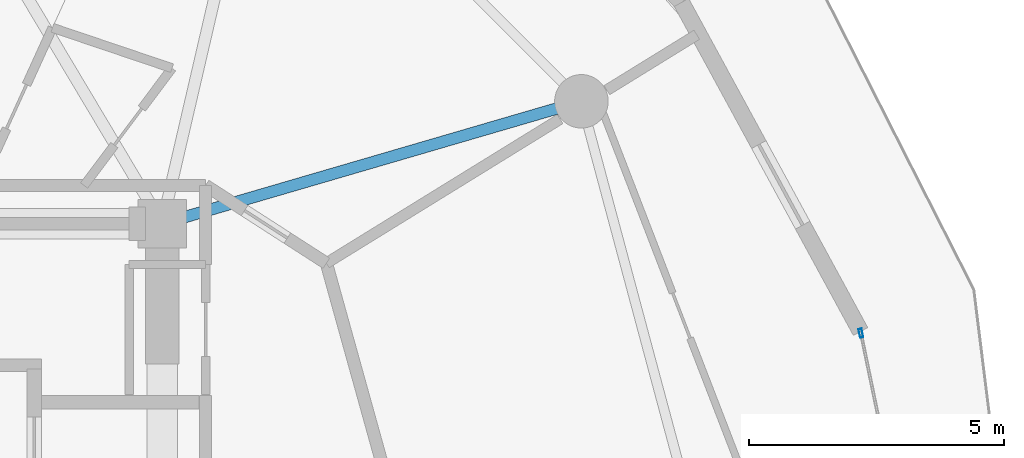
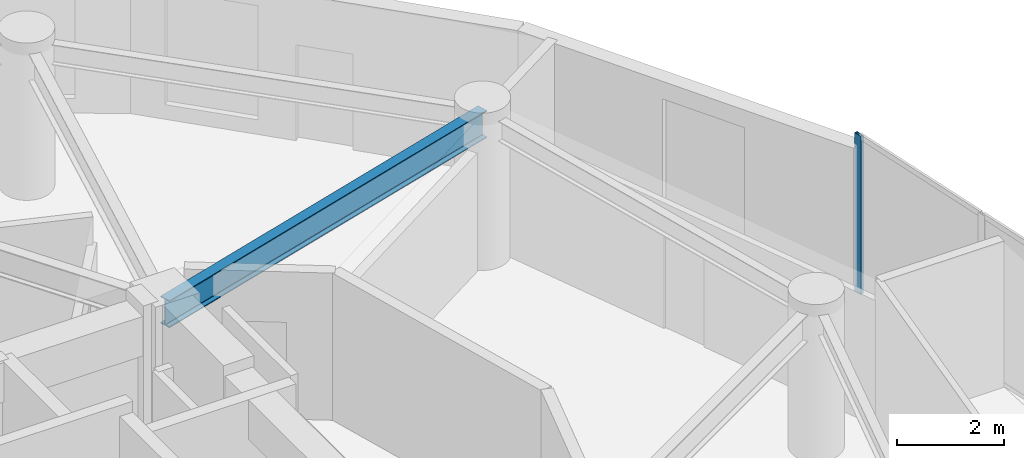
# One storey, part 14 of 25: 1 beam, 1 member, 1 element without a shape of its own.
"""IFC4 building model written with IfcOpenShell, lengths in metres."""

from ifc_helpers import new_model, si_unit, direction, frame, origin, origin_2d, place, context, subcontext, project, spatial, hollow_rectangle, i_section, extrude, source, transform, mapped, material, layer, layer_set, material_profile, profile_set, type_object, element, aggregate, save


model = new_model("IFC4")

# Units and contexts
model_context = context("Model", 3, precision=1e-05, world=origin(), true_north=direction((0.0, 1.0)))
body_context = subcontext(model_context, "Body", "Model", "MODEL_VIEW")
ifc_project = project(units=[si_unit("LENGTHUNIT", "METRE"), si_unit("AREAUNIT", "SQUARE_METRE"), si_unit("VOLUMEUNIT", "CUBIC_METRE"), si_unit("PLANEANGLEUNIT", "RADIAN"), si_unit("MASSUNIT", "GRAM", prefix="KILO")], contexts=[model_context])

# Site, building, storey
site_placement = place(None, origin())
site = spatial("IfcSite", under=ifc_project, at=site_placement, CompositionType="ELEMENT")
building_placement = place(site_placement, origin())
building = spatial("IfcBuilding", under=site, at=building_placement, Name="Solvirekh Grand Hotel", CompositionType="ELEMENT")
storey_placement = place(building_placement, frame((0.0, 0.0, 127.800048828125)))
storey = spatial("IfcBuildingStorey", under=building, at=storey_placement, Name="L32", CompositionType="ELEMENT", Elevation=127.800048828125)

# Beam
ifc_material_1 = material(Name="Steel S355", Category="steel")
ifc_material_profile_1 = material_profile(ifc_material_1, i_section(OverallWidth=0.22802734375, OverallDepth=0.616943359375, WebThickness=0.012939453125, FlangeThickness=0.02001953125, FilletRadius=0.014892578125, at=origin_2d()), Name="W610X140")
ifc_profile_set_1 = profile_set([ifc_material_profile_1], Name="Steel S355")
beam_type = type_object("IfcBeamType", Name="Beam_Radial_W610", PredefinedType="BEAM", material=ifc_profile_set_1)
beam_placement = place(storey_placement, frame((6.5, 6.10009765625, 3.041015625), z_axis=(0.959942195467, 0.28019811092, 0.0), x_axis=(-0.28019811092, 0.959942195467, 0.0)))
element("IfcBeam", 1, at=beam_placement, inside=storey, type_object=beam_type, Name="L32 radial floor beam R02", PredefinedType="BEAM", context=body_context, shape_type="SweptSolid", body=[
    extrude(i_section(OverallWidth=0.22802734375, OverallDepth=0.616943359375, WebThickness=0.012939453125, FlangeThickness=0.02001953125, FilletRadius=0.014892578125, at=origin_2d()), origin(), (0.0, 0.0, 1.0), 8.56494140625),
])

# Curtain wall, member
ifc_material_2 = material(Name="Anodized Bronze Aluminium 6063-T6", Category="aluminium")
ifc_layer = layer(ifc_material_2, 0.175048828125)
ifc_layer_set = layer_set([ifc_layer], Name="Anodized Bronze Aluminium 6063-T6")
curtain_wall_type = type_object("IfcCurtainWallType", Name="CW_Sys3_MidZoneFlushBronzeCW", PredefinedType="NOTDEFINED", material=ifc_layer_set)
curtain_wall_placement = place(storey_placement, origin())
curtain_wall = element("IfcCurtainWall", 2, at=curtain_wall_placement, inside=storey, type_object=curtain_wall_type, Name="L32 unitised bronze-glass curtain wall CW-L32-C03", PredefinedType="NOTDEFINED")
ifc_material_profile_2 = material_profile(ifc_material_2, hollow_rectangle(XDim=0.06494140625, YDim=0.175048828125, WallThickness=0.0048828125, at=origin_2d()), Name="ALU RHS 175X65X5")
ifc_profile_set_2 = profile_set([ifc_material_profile_2], Name="Anodized Bronze Aluminium 6063-T6")
member_type = type_object("IfcMemberType", Name="CWMullion_Sys3", PredefinedType="MULLION", material=ifc_profile_set_2)
shared_shape = source(origin(), body_context, "Body", "SweptSolid", [
    extrude(hollow_rectangle(XDim=0.06494140625, YDim=0.175048828125, WallThickness=0.0048828125, at=origin_2d()), origin(), (0.0, 0.0, 1.0), 3.599853515625),
])
member_placement = place(storey_placement, frame((20.20361328125, 3.953125, 0.0), z_axis=(0.0, 0.0, 1.0), x_axis=(-0.979112345229, -0.203319982834, 0.0)))
member = element("IfcMember", 3, at=member_placement, type_object=member_type, Name="U03 mullion 3", PredefinedType="MULLION", context=body_context, shape_type="MappedRepresentation", body=[
    mapped(shared_shape, transform((0.0, 0.0, 0.0), x_axis=(1.0, 0.0, 0.0), y_axis=(0.0, 1.0, 0.0), z_axis=(0.0, 0.0, 1.0), scale=1.0)),
])
aggregate(curtain_wall, [member])

save(model, "model.ifc")
